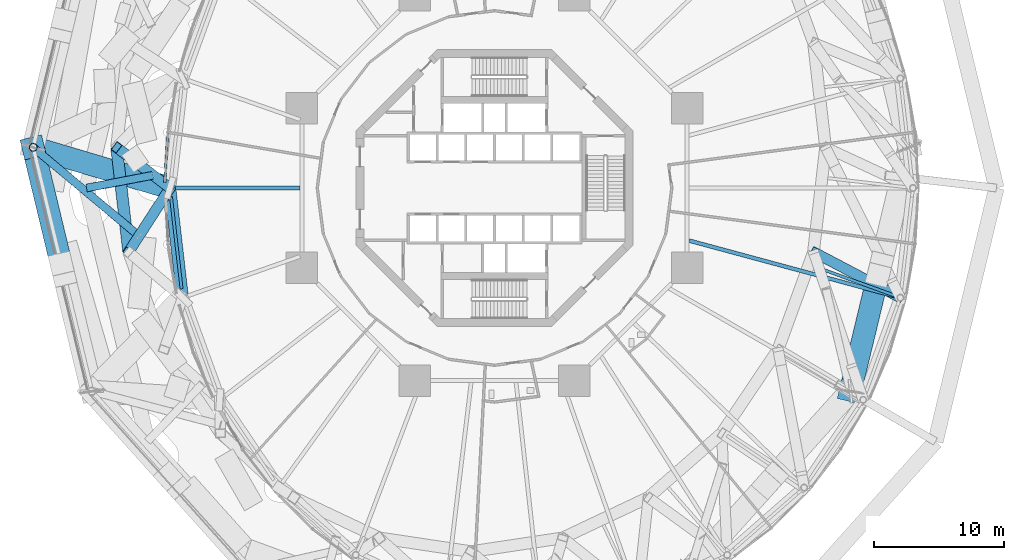
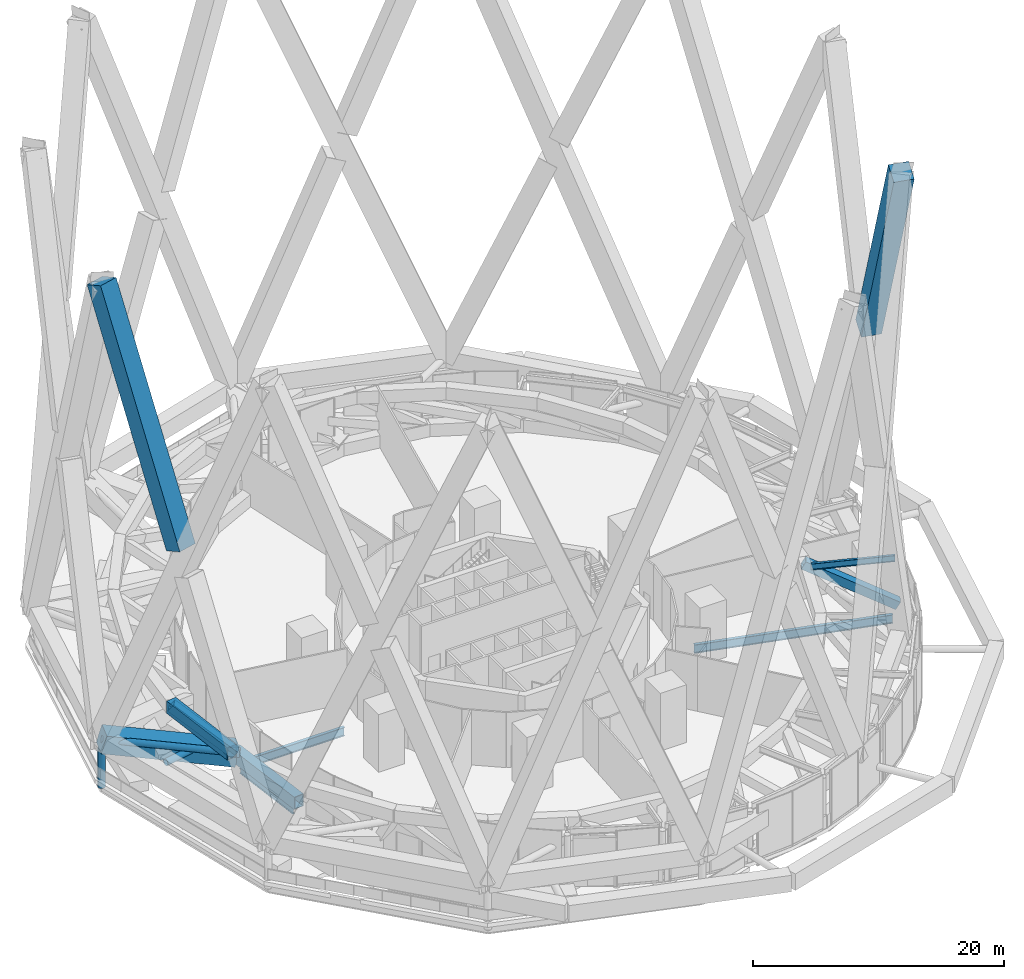
# One storey, part 16 of 51: 9 beams, 7 members, 1 element without a shape of its own.
"""IFC4 building model written with IfcOpenShell, lengths in metres."""

import ifcopenshell
import ifcopenshell.guid

model = None  # the IFC model being written
_history = None  # IfcOwnerHistory: only IFC2X3 demands one
_inside = {}  # id of a spatial element -> (the spatial element, [elements in it])
_under = {}  # id of a project, library or spatial element -> (it, [spatial elements below it])
_declared = {}  # id of a project -> (the project, [libraries it declares])
_typed = {}  # id of a type object -> (the type object, [elements of that type])
_made_of = {}  # id of a material, layer set ... -> (it, [elements and type objects made of it])


def new_model(schema):
    """Start an empty IFC model of exactly this schema.

    Asked for "IFC4X3", IfcOpenShell would pick the latest addendum, in which some entities
    have other attributes; the version numbers below select the first issue.
    IFC2X3 requires an IfcOwnerHistory on every rooted entity: one is made here for all.
    """
    global model, _history
    if schema == "IFC4X3":
        model = ifcopenshell.file(schema_version=(4, 3, 0, 0))
    else:
        model = ifcopenshell.file(schema=schema)
    _inside.clear()
    _under.clear()
    _declared.clear()
    _typed.clear()
    _made_of.clear()
    _history = None
    if model.schema == "IFC2X3":
        org = make("IfcOrganization", Name="unknown")
        user = make(
            "IfcPersonAndOrganization",
            ThePerson=make("IfcPerson", FamilyName="unknown"),
            TheOrganization=org,
        )
        app = make(
            "IfcApplication",
            ApplicationDeveloper=org,
            Version="unknown",
            ApplicationFullName="unknown",
            ApplicationIdentifier="unknown",
        )
        _history = make(
            "IfcOwnerHistory",
            OwningUser=user,
            OwningApplication=app,
            ChangeAction="ADDED",
            CreationDate=0,
        )
    return model


def make(cls, **values):
    """One entity of the class cls with the attributes given. An attribute that is None is left unset."""
    return model.create_entity(
        cls, **{name: value for name, value in values.items() if value is not None}
    )


def rooted(cls, **values):
    """An entity with a GlobalId (a new one), such as an element, a storey or a relation."""
    return make(cls, GlobalId=ifcopenshell.guid.new(), OwnerHistory=_history, **values)


def si_unit(unit_type, name, prefix=None):
    """IfcSIUnit, for example si_unit("LENGTHUNIT", "METRE", prefix="MILLI")."""
    return make("IfcSIUnit", UnitType=unit_type, Prefix=prefix, Name=name)


def assignment(units):
    """IfcUnitAssignment: the units of a project."""
    return None if units is None else make("IfcUnitAssignment", Units=units)


def point(xyz):
    """IfcCartesianPoint."""
    return None if xyz is None else make("IfcCartesianPoint", Coordinates=xyz)


def direction(xyz):
    """IfcDirection."""
    return None if xyz is None else make("IfcDirection", DirectionRatios=xyz)


def frame(location, z_axis=None, x_axis=None):
    """IfcAxis2Placement3D, a coordinate frame: its origin and axes. An axis left out is left unset."""
    return make(
        "IfcAxis2Placement3D",
        Location=point(location),
        Axis=direction(z_axis),
        RefDirection=direction(x_axis),
    )


def frame_2d(location, x_axis=None):
    """IfcAxis2Placement2D, a coordinate frame in the plane: its origin and x axis."""
    return make(
        "IfcAxis2Placement2D", Location=point(location), RefDirection=direction(x_axis)
    )


def origin():
    """The frame at (0, 0, 0) with its axes left unset."""
    return frame((0.0, 0.0, 0.0))


def origin_2d():
    """The frame at (0, 0) in the plane with its x axis left unset."""
    return frame_2d((0.0, 0.0))


def place(relative_to, where):
    """IfcLocalPlacement: puts the frame where relative to a parent placement (None: the world)."""
    return make(
        "IfcLocalPlacement", PlacementRelTo=relative_to, RelativePlacement=where
    )


def context(
    kind, dimensions, precision=None, world=None, true_north=None, identifier=None
):
    """IfcGeometricRepresentationContext, for example the 3D "Model" context."""
    return make(
        "IfcGeometricRepresentationContext",
        ContextIdentifier=identifier,
        ContextType=kind,
        CoordinateSpaceDimension=dimensions,
        Precision=precision,
        WorldCoordinateSystem=world,
        TrueNorth=true_north,
    )


def subcontext(parent, identifier, kind, view, scale=None):
    """IfcGeometricRepresentationSubContext, for example "Body" below "Model"."""
    return make(
        "IfcGeometricRepresentationSubContext",
        ContextIdentifier=identifier,
        ContextType=kind,
        ParentContext=parent,
        TargetScale=scale,
        TargetView=view,
    )


def project(units=None, contexts=None):
    """IfcProject with its units and contexts."""
    return rooted(
        "IfcProject",
        Name="project",
        RepresentationContexts=contexts,
        UnitsInContext=assignment(units),
    )


def spatial(cls, under=None, at=None, **own):
    """A site, building, storey or space (cls), placed at a placement, below another one or the project."""
    s = rooted(cls, ObjectPlacement=at, **own)
    if under is not None:
        _under.setdefault(under.id(), (under, []))[1].append(s)
    return s


def profile(cls, at=None, kind="AREA", **sizes):
    """A parametric profile (cls). Its sizes go by their IFC names, for example OverallWidth=200.0."""
    return make(cls, ProfileType=kind, Position=at, **sizes)


def rectangle(**sizes):
    """IfcRectangleProfileDef."""
    return profile("IfcRectangleProfileDef", **sizes)


def hollow_rectangle(**sizes):
    """IfcRectangleHollowProfileDef."""
    return profile("IfcRectangleHollowProfileDef", **sizes)


def hollow_circle(**sizes):
    """IfcCircleHollowProfileDef."""
    return profile("IfcCircleHollowProfileDef", **sizes)


def i_section(**sizes):
    """IfcIShapeProfileDef."""
    return profile("IfcIShapeProfileDef", **sizes)


def extrude(swept, where, along, depth):
    """IfcExtrudedAreaSolid: the profile swept, set in the frame where, extruded along a direction by depth."""
    return make(
        "IfcExtrudedAreaSolid",
        SweptArea=swept,
        Position=where,
        ExtrudedDirection=direction(along),
        Depth=depth,
    )


def shape(context_of_items, identifier, shape_type, items):
    """IfcShapeRepresentation: the items that make up one representation, for example the "Body"."""
    return make(
        "IfcShapeRepresentation",
        ContextOfItems=context_of_items,
        RepresentationIdentifier=identifier,
        RepresentationType=shape_type,
        Items=items,
    )


def material(Name=None, Category=None):
    """IfcMaterial."""
    return make("IfcMaterial", Name=Name, Category=Category)


def layer(
    of_material, thickness, ventilated=None, Name=None, Category=None, Priority=None
):
    """IfcMaterialLayer: one layer of a wall or slab, of a material (None: an air gap)."""
    return make(
        "IfcMaterialLayer",
        Material=of_material,
        LayerThickness=thickness,
        IsVentilated=ventilated,
        Name=Name,
        Category=Category,
        Priority=Priority,
    )


def layer_set(layers, Name=None):
    """IfcMaterialLayerSet."""
    return make("IfcMaterialLayerSet", MaterialLayers=layers, LayerSetName=Name)


def material_profile(
    of_material, cross_section, Name=None, Category=None, Priority=None
):
    """IfcMaterialProfile: a cross section and its material."""
    return make(
        "IfcMaterialProfile",
        Name=Name,
        Material=of_material,
        Profile=cross_section,
        Priority=Priority,
        Category=Category,
    )


def profile_set(profiles, Name=None, composite=None):
    """IfcMaterialProfileSet."""
    return make(
        "IfcMaterialProfileSet",
        Name=Name,
        MaterialProfiles=profiles,
        CompositeProfile=composite,
    )


def made_of(thing, what):
    """Note that an element or type object is made of a material, layer set ...; save() writes the relation."""
    if what is not None:
        _made_of.setdefault(what.id(), (what, []))[1].append(thing)
    return thing


def type_object(cls, material=None, **own):
    """A type object (cls), such as IfcWallType, which elements share."""
    return made_of(rooted(cls, **own), material)


def element(
    cls,
    number,
    at=None,
    inside=None,
    cuts=None,
    type_object=None,
    material=None,
    context=None,
    identifier="Body",
    shape_type=None,
    held_by="IfcProductDefinitionShape",
    body=None,
    shapes=None,
    **own,
):
    """One element of the class cls, such as IfcWall. Its Tag is "e" and its number.

    at: its placement. inside: the storey or other place that contains it. cuts: it is an
    opening in that element (IfcRelVoidsElement). A single representation is given by context,
    identifier, shape_type and body (its items); several are given by shapes. held_by: the class
    of the entity that holds the representations. save() writes the other relations.
    """
    e = rooted(cls, Tag="e%d" % number, ObjectPlacement=at, **own)
    if body is not None:
        shapes = [shape(context, identifier, shape_type, body)]
    if shapes is not None:
        e.Representation = make(held_by, Representations=shapes)
    if inside is not None:
        _inside.setdefault(inside.id(), (inside, []))[1].append(e)
    if cuts is not None:
        rooted(
            "IfcRelVoidsElement", RelatingBuildingElement=cuts, RelatedOpeningElement=e
        )
    if type_object is not None:
        _typed.setdefault(type_object.id(), (type_object, []))[1].append(e)
    return made_of(e, material)


def aggregate(whole, parts):
    """IfcRelAggregates: a whole, such as a stair, and the parts it consists of."""
    return rooted("IfcRelAggregates", RelatingObject=whole, RelatedObjects=parts)


def save(model, path):
    """Write the relations noted so far, then the file.

    IfcRelAggregates (storeys below a building ...), IfcRelContainedInSpatialStructure (elements
    in a storey), IfcRelDefinesByType, IfcRelAssociatesMaterial and IfcRelDeclares: one each for
    every whole, place, type object, material and project.
    """
    for whole, parts in _under.values():
        aggregate(whole, parts)
    for where, things in _inside.values():
        rooted(
            "IfcRelContainedInSpatialStructure",
            RelatedElements=things,
            RelatingStructure=where,
        )
    for kind, things in _typed.values():
        rooted("IfcRelDefinesByType", RelatedObjects=things, RelatingType=kind)
    for what, things in _made_of.values():
        rooted("IfcRelAssociatesMaterial", RelatedObjects=things, RelatingMaterial=what)
    for by, libraries in _declared.values():
        rooted("IfcRelDeclares", RelatingContext=by, RelatedDefinitions=libraries)
    model.write(path)


model = new_model("IFC4")

# Units and contexts
model_context = context("Model", 3, precision=1e-05, world=origin(), true_north=direction((0.0, 1.0)))
body_context = subcontext(model_context, "Body", "Model", "MODEL_VIEW")
ifc_project = project(units=[si_unit("LENGTHUNIT", "METRE"), si_unit("AREAUNIT", "SQUARE_METRE"), si_unit("VOLUMEUNIT", "CUBIC_METRE"), si_unit("PLANEANGLEUNIT", "RADIAN"), si_unit("MASSUNIT", "GRAM", prefix="KILO")], contexts=[model_context])

# Site, building, storey
site_placement = place(None, origin())
site = spatial("IfcSite", under=ifc_project, at=site_placement, CompositionType="ELEMENT")
building_placement = place(site_placement, origin())
building = spatial("IfcBuilding", under=site, at=building_placement, Name="Nagisa Residences", CompositionType="ELEMENT")
storey_placement = place(building_placement, frame((0.0, 0.0, 67.699951171875)))
storey = spatial("IfcBuildingStorey", under=building, at=storey_placement, Name="L16", CompositionType="ELEMENT", Elevation=67.699951171875)

# Beams
ifc_material_1 = material(Name="Steel ASTM A572 Gr 50", Category="steel")
ifc_material_profile_1 = material_profile(ifc_material_1, hollow_rectangle(XDim=0.89990234375, YDim=1.199951171875, WallThickness=0.050048828125, at=origin_2d()), Name="BX 900x1200x50")
ifc_profile_set_1 = profile_set([ifc_material_profile_1], Name="Steel ASTM A572 Gr 50")
beam_type_1 = type_object("IfcBeamType", Name="Belt chord 1 BX 900x1200x50", PredefinedType="BEAM", material=ifc_profile_set_1)
beam_1_placement = place(storey_placement, frame((-24.89990234375, 0.0, 0.60009765625), z_axis=(0.114667883158, -0.993403883912, 0.0), x_axis=(0.993403883912, 0.114667883158, 0.0)))
element("IfcBeam", 1, at=beam_1_placement, inside=storey, type_object=beam_type_1, Name="beam:L16:bt1b13", PredefinedType="BEAM", context=body_context, shape_type="SweptSolid", body=[
    extrude(hollow_rectangle(XDim=0.89990234375, YDim=1.199951171875, WallThickness=0.050048828125, at=origin_2d()), origin(), (0.0, 0.0, 1.0), 8.467529296875),
])
beam_2_placement = place(storey_placement, frame((-28.9951171875, 3.11767578125, 4.739990234375), z_axis=(0.114688326787, -0.993401523906, 0.0), x_axis=(0.993401523906, 0.114688326787, 0.0)))
element("IfcBeam", 2, at=beam_2_placement, inside=storey, type_object=beam_type_1, Name="beam:L16:bt1t13", PredefinedType="BEAM", context=body_context, shape_type="SweptSolid", body=[
    extrude(hollow_rectangle(XDim=0.89990234375, YDim=1.199951171875, WallThickness=0.050048828125, at=origin_2d()), origin(), (0.0, 0.0, 1.0), 8.08056640625),
])
ifc_material_2 = material(Name="Steel ASTM A572 Gr 50", Category="steel")
ifc_material_profile_2 = material_profile(ifc_material_2, hollow_rectangle(XDim=0.800048828125, YDim=0.800048828125, WallThickness=0.044921875, at=origin_2d()), Name="BX 800x800x45")
ifc_profile_set_2 = profile_set([ifc_material_profile_2], Name="Steel ASTM A572 Gr 50")
beam_type_2 = type_object("IfcBeamType", Name="Belt diagonal 1 BX 800x800x45", PredefinedType="BEAM", material=ifc_profile_set_2)
beam_3_placement = place(storey_placement, frame((-24.89990234375, 0.0, 0.60009765625), z_axis=(-0.619993423975, 0.471999286048, 0.626757391818), x_axis=(-0.605737330854, -0.795664681891, 0.0)))
element("IfcBeam", 3, at=beam_3_placement, inside=storey, type_object=beam_type_2, Name="beam:L16:bt1da13", PredefinedType="BEAM", context=body_context, shape_type="SweptSolid", body=[
    extrude(hollow_rectangle(XDim=0.800048828125, YDim=0.800048828125, WallThickness=0.044921875, at=origin_2d()), origin(), (0.0, 0.0, 1.0), 6.605224609375),
])
beam_4_placement = place(storey_placement, frame((-24.89990234375, 0.0, 0.60009765625), z_axis=(-0.442448276118, -0.685593684138, 0.578101049325), x_axis=(0.840224190954, -0.542239162119, 0.0)))
element("IfcBeam", 4, at=beam_4_placement, inside=storey, type_object=beam_type_2, Name="beam:L16:bt1db13", PredefinedType="BEAM", context=body_context, shape_type="SweptSolid", body=[
    extrude(hollow_rectangle(XDim=0.800048828125, YDim=0.800048828125, WallThickness=0.044921875, at=origin_2d()), origin(), (0.0, 0.0, 1.0), 7.1611328125),
])
beam_5_placement = place(storey_placement, frame((31.12890625, -8.41162109375, 0.60009765625), z_axis=(-0.775508310605, 0.407737380226, 0.482013577558), x_axis=(-0.465366641517, -0.885118008496, 0.0)))
element("IfcBeam", 5, at=beam_5_placement, inside=storey, type_object=beam_type_2, Name="beam:L16:bt1da24", PredefinedType="BEAM", context=body_context, shape_type="SweptSolid", body=[
    extrude(hollow_rectangle(XDim=0.800048828125, YDim=0.800048828125, WallThickness=0.044921875, at=origin_2d()), origin(), (0.0, 0.0, 1.0), 8.5888671875),
])

# Curtain wall, member
ifc_material_3 = material(Name="Aluminium curtain wall system", Category="aluminium")
ifc_layer = layer(ifc_material_3, 0.159912109375)
ifc_layer_set = layer_set([ifc_layer], Name="CW2 CURTAIN WALL")
curtain_wall_type = type_object("IfcCurtainWallType", Name="CW2 CURTAIN WALL", PredefinedType="NOTDEFINED", material=ifc_layer_set)
curtain_wall_placement = place(storey_placement, origin())
curtain_wall = element("IfcCurtainWall", 6, at=curtain_wall_placement, inside=storey, type_object=curtain_wall_type, Name="cw:CW2:L16:23", PredefinedType="NOTDEFINED")
ifc_material_4 = material(Name="Aluminium", Category="aluminium")
ifc_material_profile_3 = material_profile(ifc_material_4, rectangle(XDim=0.139892578125, YDim=0.179931640625, at=origin_2d()), Name="CW2 TRANSOM 140x180")
ifc_profile_set_3 = profile_set([ifc_material_profile_3], Name="Aluminium")
member_type_1 = type_object("IfcMemberType", Name="CW2 TRANSOM 140x180", PredefinedType="USERDEFINED", material=ifc_profile_set_3)
member_1_placement = place(storey_placement, frame((-25.072021484375, 4.302734375, 0.090087890625), z_axis=(-0.057488767917, -0.998346153177, 0.0), x_axis=(0.998346153177, -0.057488767917, 0.0)))
member_1 = element("IfcMember", 7, at=member_1_placement, type_object=member_type_1, Name="CW2 transom", ObjectType="TRANSOM", PredefinedType="USERDEFINED", context=body_context, shape_type="SweptSolid", body=[
    extrude(rectangle(XDim=0.139892578125, YDim=0.179931640625, at=origin_2d()), origin(), (0.0, 0.0, 1.0), 3.864501953125),
])
aggregate(curtain_wall, [member_1])

# Members
ifc_material_5 = material(Name="Concrete C80", Category="concrete")
ifc_material_profile_4 = material_profile(ifc_material_5, rectangle(XDim=1.699951171875, YDim=1.699951171875, at=origin_2d()), Name="C80 1700x1700")
ifc_profile_set_4 = profile_set([ifc_material_profile_4], Name="Concrete C80")
member_type_2 = type_object("IfcMemberType", Name="Cage bracket 2 C80 1700x1700", PredefinedType="BRACE", material=ifc_profile_set_4)
member_2_placement = place(storey_placement, frame((-35.39501953125, 3.11767578125, 3.699951171875), z_axis=(0.922341717325, -0.273990502704, -0.272424229666), x_axis=(0.284760948006, 0.958598561699, 0.0)))
element("IfcMember", 8, at=member_2_placement, inside=storey, type_object=member_type_2, Name="mem:L16:cg1ob07", PredefinedType="BRACE", context=body_context, shape_type="SweptSolid", body=[
    extrude(rectangle(XDim=1.699951171875, YDim=1.699951171875, at=origin_2d()), origin(), (0.0, 0.0, 1.0), 11.378662109375),
])
ifc_material_6 = material(Name="Concrete C80", Category="concrete")
ifc_material_profile_5 = material_profile(ifc_material_6, rectangle(XDim=1.699951171875, YDim=1.699951171875, at=origin_2d()), Name="C80 1700x1700")
ifc_profile_set_5 = profile_set([ifc_material_profile_5], Name="Concrete C80")
member_type_3 = type_object("IfcMemberType", Name="Cage diagonal 2 C80 1700x1700", PredefinedType="BRACE", material=ifc_profile_set_5)
for number, where, z_axis, x_axis, name in (
    (9, (-33.2509765625, -5.793701171875, 27.00244140625), (-0.092838857269, 0.385870089861, 0.917869936501), (-0.972255617672, -0.233920956533, 0.0), "mem:L16:cg2d014b"),
    (10, (29.43798828125, -6.678466796875, 27.00244140625), (-0.092828376876, -0.385870468551, 0.91787083729), (0.972261675328, -0.233895777405, 0.0), "mem:L16:cg2d024b"),
):
    element("IfcMember", number, at=place(storey_placement, frame(where, z_axis=z_axis, x_axis=x_axis)), inside=storey, type_object=member_type_3, Name=name, PredefinedType="BRACE", context=body_context, shape_type="SweptSolid", body=[
        extrude(rectangle(XDim=1.699951171875, YDim=1.699951171875, at=origin_2d()), origin(), (0.0, 0.0, 1.0), 23.09423828125),
    ])
ifc_material_7 = material(Name="Steel ASTM A572 Gr 65", Category="steel")
ifc_material_profile_6 = material_profile(ifc_material_7, hollow_circle(Radius=0.304931640625, WallThickness=0.02490234375, at=origin_2d()), Name="CHS 610x25")
ifc_profile_set_6 = profile_set([ifc_material_profile_6], Name="Steel ASTM A572 Gr 65")
member_type_4 = type_object("IfcMemberType", Name="Cage strut CHS 610x25", PredefinedType="STRUT", material=ifc_profile_set_6)
member_3_placement = place(storey_placement, frame((-31.300048828125, 0.0, 1.900146484375), z_axis=(0.982166614688, 0.188012608597, 0.0), x_axis=(-0.188012608597, 0.982166614688, 0.0)))
element("IfcMember", 11, at=member_3_placement, inside=storey, type_object=member_type_4, Name="mem:L16:bt1st1a07", PredefinedType="STRUT", context=body_context, shape_type="SweptSolid", body=[
    extrude(hollow_circle(Radius=0.304931640625, WallThickness=0.02490234375, at=origin_2d()), origin(), (0.0, 0.0, 1.0), 5.20703125),
])
member_4_placement = place(storey_placement, frame((-35.39501953125, 3.11767578125, 3.699951171875), z_axis=(0.767052114546, -0.641584798425, 0.0), x_axis=(0.641584798425, 0.767052114546, 0.0)))
element("IfcMember", 12, at=member_4_placement, inside=storey, type_object=member_type_4, Name="mem:L16:bt1st2b07", PredefinedType="STRUT", context=body_context, shape_type="SweptSolid", body=[
    extrude(hollow_circle(Radius=0.304931640625, WallThickness=0.02490234375, at=origin_2d()), origin(), (0.0, 0.0, 1.0), 10.58935546875),
])
ifc_material_8 = material(Name="Steel ASTM A572 Gr 65", Category="steel")
ifc_material_profile_7 = material_profile(ifc_material_8, hollow_circle(Radius=0.304931640625, WallThickness=0.02490234375, at=origin_2d()), Name="CHS 610x25")
ifc_profile_set_7 = profile_set([ifc_material_profile_7], Name="Steel ASTM A572 Gr 65")
member_type_5 = type_object("IfcMemberType", Name="Deck hanger CHS 610x25", PredefinedType="POST", material=ifc_profile_set_7)
member_5_placement = place(storey_placement, frame((-35.39501953125, 3.11767578125, 2.900146484375), z_axis=(0.0, 0.0, -1.0), x_axis=(1.0, 0.0, 0.0)))
element("IfcMember", 13, at=member_5_placement, inside=storey, type_object=member_type_5, Name="mem:L16:deckhanger06", PredefinedType="POST", context=body_context, shape_type="SweptSolid", body=[
    extrude(hollow_circle(Radius=0.304931640625, WallThickness=0.02490234375, at=origin_2d()), origin(), (0.0, 0.0, 1.0), 3.7900390625),
])

# Beams
ifc_material_9 = material(Name="Steel ASTM A572 Gr 50", Category="steel")
ifc_material_profile_8 = material_profile(ifc_material_9, i_section(OverallWidth=0.22802734375, OverallDepth=0.60302734375, WebThickness=0.010498046875, FlangeThickness=0.014892578125, at=origin_2d()), Name="W610x101")
ifc_profile_set_8 = profile_set([ifc_material_profile_8], Name="Steel ASTM A572 Gr 50")
beam_type_3 = type_object("IfcBeamType", Name="Garden radial beam W610x101", PredefinedType="BEAM", material=ifc_profile_set_8)
beam_6_placement = place(storey_placement, frame((30.908935546875, -8.331787109375, 5.03857421875), z_axis=(-0.939924545212, 0.341382262731, 0.0), x_axis=(-0.341382262731, -0.939924545212, 0.0)))
element("IfcBeam", 14, at=beam_6_placement, inside=storey, type_object=beam_type_3, Name="beam:L16:bt1gr24", PredefinedType="BEAM", context=body_context, shape_type="SweptSolid", body=[
    extrude(i_section(OverallWidth=0.22802734375, OverallDepth=0.60302734375, WebThickness=0.010498046875, FlangeThickness=0.014892578125, at=origin_2d()), origin(), (0.0, 0.0, 1.0), 6.791748046875),
])
ifc_material_10 = material(Name="Steel ASTM A572 Gr 50", Category="steel")
ifc_material_profile_9 = material_profile(ifc_material_10, i_section(OverallWidth=0.22900390625, OverallDepth=0.612060546875, WebThickness=0.011962890625, FlangeThickness=0.01953125, at=origin_2d()), Name="W610x125")
ifc_profile_set_9 = profile_set([ifc_material_profile_9], Name="Steel ASTM A572 Gr 50")
beam_type_4 = type_object("IfcBeamType", Name="Perimeter ring beam W610x125", PredefinedType="BEAM", material=ifc_profile_set_9)
beam_7_placement = place(storey_placement, frame((-24.821533203125, -0.68017578125, -0.656005859375), z_axis=(0.114707660057, -0.993399291687, 0.0), x_axis=(0.993399291687, 0.114707660057, 0.0)))
element("IfcBeam", 15, at=beam_7_placement, inside=storey, type_object=beam_type_4, Name="beam:L16:pb13", PredefinedType="BEAM", context=body_context, shape_type="SweptSolid", body=[
    extrude(i_section(OverallWidth=0.22900390625, OverallDepth=0.612060546875, WebThickness=0.011962890625, FlangeThickness=0.01953125, at=origin_2d()), origin(), (0.0, 0.0, 1.0), 7.09814453125),
])
ifc_material_11 = material(Name="Steel ASTM A572 Gr 50", Category="steel")
ifc_material_profile_10 = material_profile(ifc_material_11, i_section(OverallWidth=0.2919921875, OverallDepth=0.8349609375, WebThickness=0.013916015625, FlangeThickness=0.018798828125, at=origin_2d()), Name="W840x176")
ifc_profile_set_10 = profile_set([ifc_material_profile_10], Name="Steel ASTM A572 Gr 50")
beam_type_5 = type_object("IfcBeamType", Name="Radial beam W840x176", PredefinedType="BEAM", material=ifc_profile_set_10)
beam_8_placement = place(storey_placement, frame((-24.469970703125, 0.0, -0.767333984375), z_axis=(1.0, 0.0, 0.0), x_axis=(0.0, 1.0, 0.0)))
element("IfcBeam", 16, at=beam_8_placement, inside=storey, type_object=beam_type_5, Name="beam:L16:rb13", PredefinedType="BEAM", context=body_context, shape_type="SweptSolid", body=[
    extrude(i_section(OverallWidth=0.2919921875, OverallDepth=0.8349609375, WebThickness=0.013916015625, FlangeThickness=0.018798828125, at=origin_2d()), origin(), (0.0, 0.0, 1.0), 9.555908203125),
])
beam_9_placement = place(storey_placement, frame((30.713623046875, -8.29931640625, -0.767333984375), z_axis=(-0.965377405877, 0.260857172073, 0.0), x_axis=(-0.260857172073, -0.965377405877, 0.0)))
element("IfcBeam", 17, at=beam_9_placement, inside=storey, type_object=beam_type_5, Name="beam:L16:rb24", PredefinedType="BEAM", context=body_context, shape_type="SweptSolid", body=[
    extrude(i_section(OverallWidth=0.2919921875, OverallDepth=0.8349609375, WebThickness=0.013916015625, FlangeThickness=0.018798828125, at=origin_2d()), origin(), (0.0, 0.0, 1.0), 16.365478515625),
])

save(model, "model.ifc")
